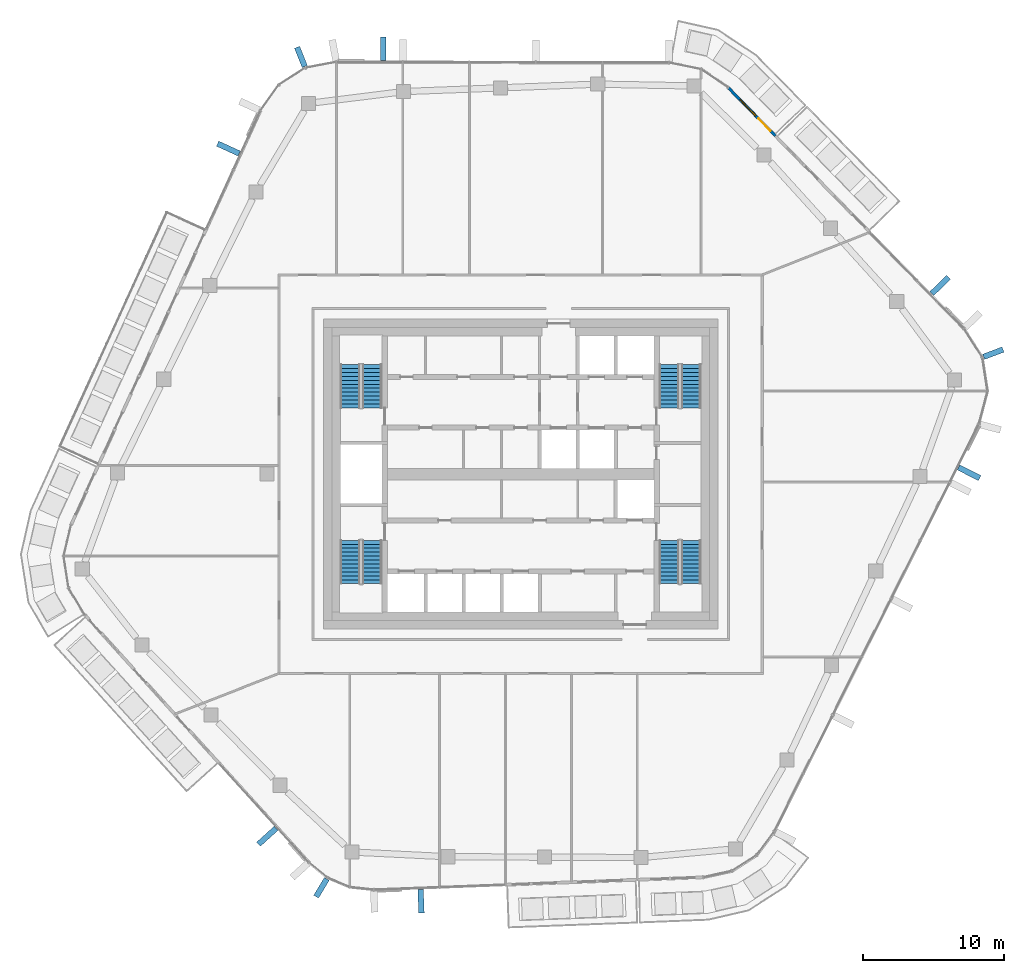
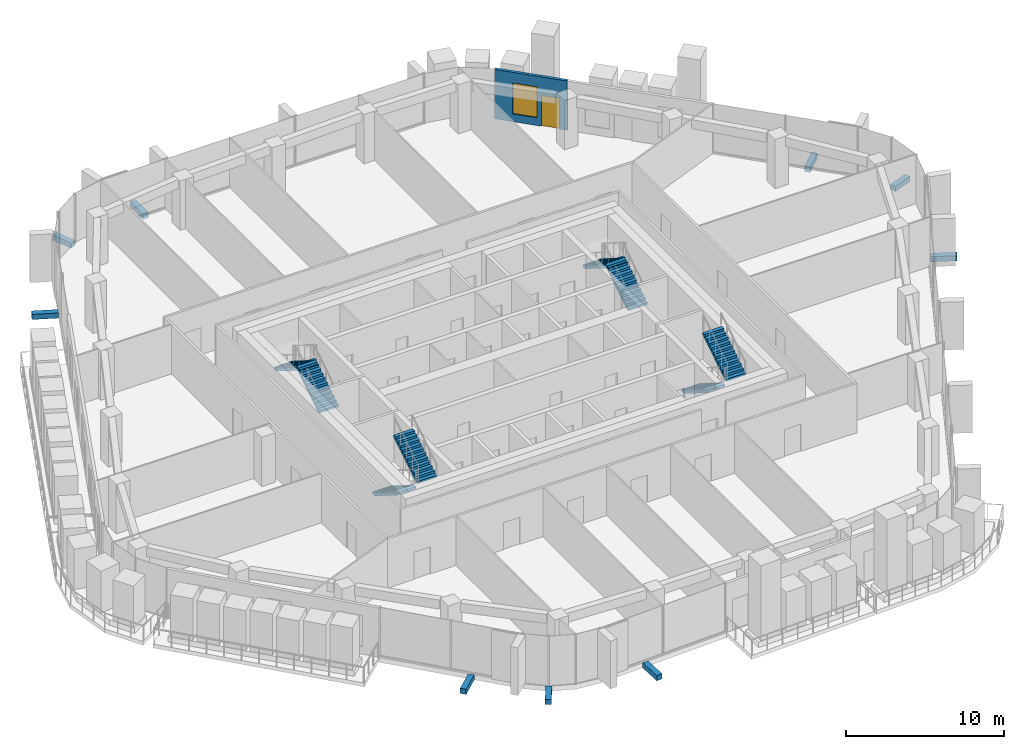
# One storey, part 17 of 23: 9 discrete accessories, 8 stair flights, 1 door, 1 wall, 1 window, 2 openings, 4 elements without a shape of their own.
"""IFC4 building model written with IfcOpenShell, lengths in metres."""

from ifc_helpers import new_model, si_unit, direction, frame, frame_2d, origin, origin_2d, place, context, subcontext, project, spatial, polyline, rectangle, outline, extrude, material, layer, layer_set, type_object, element, fill, aggregate, save


model = new_model("IFC4")

# Units and contexts
model_context = context("Model", 3, precision=1e-05, world=origin(), true_north=direction((0.0, 1.0)))
body_context = subcontext(model_context, "Body", "Model", "MODEL_VIEW")
ifc_project = project(units=[si_unit("LENGTHUNIT", "METRE"), si_unit("AREAUNIT", "SQUARE_METRE"), si_unit("VOLUMEUNIT", "CUBIC_METRE"), si_unit("PLANEANGLEUNIT", "RADIAN"), si_unit("MASSUNIT", "GRAM", prefix="KILO")], contexts=[model_context])

# Site, building, storey
site_placement = place(None, origin())
site = spatial("IfcSite", under=ifc_project, at=site_placement, CompositionType="ELEMENT")
building_placement = place(site_placement, origin())
building = spatial("IfcBuilding", under=site, at=building_placement, Name="Dongbaek Canopy Tower", CompositionType="ELEMENT")
storey_placement = place(building_placement, frame((0.0, 0.0, 315.199951171875)))
storey = spatial("IfcBuildingStorey", under=building, at=storey_placement, Name="L67", CompositionType="ELEMENT", Elevation=315.199951171875)

# Wall, openings, door, window
ifc_material_1 = material(Name="Aluminium window wall", Category="aluminium")
ifc_layer_1 = layer(ifc_material_1, 0.199951171875)
ifc_layer_set_1 = layer_set([ifc_layer_1], Name="Window wall 200")
wall_type = type_object("IfcWallType", Name="Window wall 200", PredefinedType="SOLIDWALL", material=ifc_layer_set_1)
wall_placement = place(storey_placement, frame((18.086181640625, 24.02099609375, 0.0), z_axis=(0.0, 0.0, 1.0), x_axis=(-0.699373628804, 0.714756271279, 0.0)))
wall = element("IfcWall", 1, at=wall_placement, inside=storey, type_object=wall_type, Name="Window wall L67 5", PredefinedType="SOLIDWALL", context=body_context, shape_type="SweptSolid", body=[
    extrude(rectangle(XDim=4.77734375, YDim=0.199951171875, at=frame_2d((2.388671875, 0.0))), origin(), (0.0, 0.0, 1.0), 3.820068359375),
])
opening_1_placement = place(wall_placement, frame((2.0, 0.0, 0.60009765625)))
opening_1 = element("IfcOpeningElement", 2, at=opening_1_placement, cuts=wall, Name="Opening W1", PredefinedType="OPENING", context=body_context, shape_type="SweptSolid", body=[
    extrude(rectangle(XDim=1.60009765625, YDim=2.39990234375, at=frame_2d((0.800048828125, 1.199951171875))), frame((0.0, 0.10986328125, 0.0), z_axis=(0.0, -1.0, 0.0), x_axis=(1.0, 0.0, 0.0)), (0.0, 0.0, 1.0), 0.219970703125),
])
opening_2_placement = place(wall_placement, frame((0.5, 0.0, 0.0)))
opening_2 = element("IfcOpeningElement", 3, at=opening_2_placement, cuts=wall, Name="Opening L67-B03", PredefinedType="OPENING", context=body_context, shape_type="SweptSolid", body=[
    extrude(rectangle(XDim=1.199951171875, YDim=2.39990234375, at=frame_2d((0.60009765625, 1.199951171875))), frame((0.0, 0.10986328125, 0.0), z_axis=(0.0, -1.0, 0.0), x_axis=(1.0, 0.0, 0.0)), (0.0, 0.0, 1.0), 0.219970703125),
])
ifc_material_2 = material(Name="Clear glazing in aluminium frame", Category="aluminium")
door_type = type_object("IfcDoorType", Name="Balcony door BD1 1200 x 2400", OperationType="SLIDING_TO_LEFT", PredefinedType="DOOR", material=ifc_material_2)
door_placement = place(opening_2_placement, origin())
door = element("IfcDoor", 4, at=door_placement, inside=storey, type_object=door_type, Name="Balcony door L67-B03", OperationType="SLIDING_TO_LEFT", OverallHeight=2.39990234375, OverallWidth=1.199951171875, PredefinedType="DOOR", context=body_context, shape_type="SweptSolid", body=[
    extrude(rectangle(XDim=1.199951171875, YDim=2.39990234375, at=frame_2d((0.60009765625, 1.199951171875))), frame((0.0, 0.02490234375, 0.0), z_axis=(0.0, -1.0, 0.0), x_axis=(1.0, 0.0, 0.0)), (0.0, 0.0, 1.0), 0.050048828125),
])
fill(opening_2, door)
ifc_material_3 = material(Name="Clear glazing in aluminium frame", Category="aluminium")
window_type = type_object("IfcWindowType", Name="Window W1 1600 x 2400", PartitioningType="SINGLE_PANEL", PredefinedType="WINDOW", material=ifc_material_3)
window_placement = place(opening_1_placement, origin())
window = element("IfcWindow", 5, at=window_placement, inside=storey, type_object=window_type, Name="Window L67 5.1", OverallHeight=2.39990234375, OverallWidth=1.60009765625, PartitioningType="SINGLE_PANEL", PredefinedType="WINDOW", context=body_context, shape_type="SweptSolid", body=[
    extrude(rectangle(XDim=1.60009765625, YDim=2.39990234375, at=frame_2d((0.800048828125, 1.199951171875))), frame((0.0, 0.030029296875, 0.0), z_axis=(0.0, -1.0, 0.0), x_axis=(1.0, 0.0, 0.0)), (0.0, 0.0, 1.0), 0.06005859375),
])
fill(opening_1, window)

# Stair, stair flights
ifc_material_4 = material(Name="Concrete C40/50", Category="concrete")
stair_type = type_object("IfcStairType", Name="Core exit stair", PredefinedType="HALF_TURN_STAIR", material=ifc_material_4)
stair_1_placement = place(storey_placement, origin())
stair_1 = element("IfcStair", 6, at=stair_1_placement, inside=storey, type_object=stair_type, Name="L67 exit stair A", PredefinedType="HALF_TURN_STAIR")
ifc_material_5 = material(Name="Concrete C40/50", Category="concrete")
ifc_layer_2 = layer(ifc_material_5, 0.14990234375)
ifc_layer_set_2 = layer_set([ifc_layer_2], Name="Core stair flight 150 waist")
stair_flight_type = type_object("IfcStairFlightType", Name="Core stair flight 150 waist", PredefinedType="STRAIGHT", material=ifc_layer_set_2)
stair_flight_1_placement = place(storey_placement, frame((12.10009765625, 4.699951171875, 0.0), z_axis=(0.0, 0.0, 1.0), x_axis=(0.0, 1.0, 0.0)))
stair_flight_1 = element("IfcStairFlight", 7, at=stair_flight_1_placement, type_object=stair_flight_type, Name="ST-A flight 1", NumberOfRisers=12, NumberOfTreads=11, PredefinedType="STRAIGHT", RiserHeight=0.175, TreadLength=0.28, context=body_context, shape_type="SweptSolid", body=[
    extrude(outline(polyline([(0.0, 0.0), (0.0, 0.175048828125), (0.280029296875, 0.175048828125), (0.280029296875, 0.35009765625), (0.56005859375, 0.35009765625), (0.56005859375, 0.52490234375), (0.840087890625, 0.52490234375), (0.840087890625, 0.699951171875), (1.1201171875, 0.699951171875), (1.1201171875, 0.875), (1.39990234375, 0.875), (1.39990234375, 1.050048828125), (1.679931640625, 1.050048828125), (1.679931640625, 1.22509765625), (1.9599609375, 1.22509765625), (1.9599609375, 1.39990234375), (2.239990234375, 1.39990234375), (2.239990234375, 1.574951171875), (2.52001953125, 1.574951171875), (2.52001953125, 1.75), (2.800048828125, 1.75), (2.800048828125, 1.925048828125), (3.080078125, 1.925048828125), (3.080078125, 2.10009765625), (3.080078125, 1.748291015625), (0.28271484375, 0.0), (0.0, 0.0)])), frame((0.0, 0.699951171875, 0.0), z_axis=(0.0, -1.0, 0.0), x_axis=(1.0, 0.0, 0.0)), (0.0, 0.0, 1.0), 1.39990234375),
])
stair_flight_2_placement = place(storey_placement, frame((10.550048828125, 7.780029296875, 2.10009765625), z_axis=(0.0, 0.0, 1.0), x_axis=(0.0, -1.0, 0.0)))
stair_flight_2 = element("IfcStairFlight", 8, at=stair_flight_2_placement, type_object=stair_flight_type, Name="ST-A flight 2", NumberOfRisers=12, NumberOfTreads=11, PredefinedType="STRAIGHT", RiserHeight=0.175, TreadLength=0.28, context=body_context, shape_type="SweptSolid", body=[
    extrude(outline(polyline([(0.0, 0.0), (0.0, 0.175048828125), (0.280029296875, 0.175048828125), (0.280029296875, 0.35009765625), (0.56005859375, 0.35009765625), (0.56005859375, 0.52490234375), (0.840087890625, 0.52490234375), (0.840087890625, 0.699951171875), (1.1201171875, 0.699951171875), (1.1201171875, 0.875), (1.39990234375, 0.875), (1.39990234375, 1.050048828125), (1.679931640625, 1.050048828125), (1.679931640625, 1.22509765625), (1.9599609375, 1.22509765625), (1.9599609375, 1.39990234375), (2.239990234375, 1.39990234375), (2.239990234375, 1.574951171875), (2.52001953125, 1.574951171875), (2.52001953125, 1.75), (2.800048828125, 1.75), (2.800048828125, 1.925048828125), (3.080078125, 1.925048828125), (3.080078125, 2.10009765625), (3.080078125, 1.748291015625), (0.28271484375, 0.0), (0.0, 0.0)])), frame((0.0, 0.699951171875, 0.0), z_axis=(0.0, -1.0, 0.0), x_axis=(1.0, 0.0, 0.0)), (0.0, 0.0, 1.0), 1.39990234375),
])
aggregate(stair_1, [stair_flight_1, stair_flight_2])

stair_2_placement = place(storey_placement, origin())
stair_2 = element("IfcStair", 9, at=stair_2_placement, inside=storey, type_object=stair_type, Name="L67 exit stair C", PredefinedType="HALF_TURN_STAIR")
stair_flight_3_placement = place(storey_placement, frame((-10.550048828125, 4.699951171875, 0.0), z_axis=(0.0, 0.0, 1.0), x_axis=(0.0, 1.0, 0.0)))
stair_flight_3 = element("IfcStairFlight", 10, at=stair_flight_3_placement, type_object=stair_flight_type, Name="ST-C flight 1", NumberOfRisers=12, NumberOfTreads=11, PredefinedType="STRAIGHT", RiserHeight=0.175, TreadLength=0.28, context=body_context, shape_type="SweptSolid", body=[
    extrude(outline(polyline([(0.0, 0.0), (0.0, 0.175048828125), (0.280029296875, 0.175048828125), (0.280029296875, 0.35009765625), (0.56005859375, 0.35009765625), (0.56005859375, 0.52490234375), (0.840087890625, 0.52490234375), (0.840087890625, 0.699951171875), (1.1201171875, 0.699951171875), (1.1201171875, 0.875), (1.39990234375, 0.875), (1.39990234375, 1.050048828125), (1.679931640625, 1.050048828125), (1.679931640625, 1.22509765625), (1.9599609375, 1.22509765625), (1.9599609375, 1.39990234375), (2.239990234375, 1.39990234375), (2.239990234375, 1.574951171875), (2.52001953125, 1.574951171875), (2.52001953125, 1.75), (2.800048828125, 1.75), (2.800048828125, 1.925048828125), (3.080078125, 1.925048828125), (3.080078125, 2.10009765625), (3.080078125, 1.748291015625), (0.28271484375, 0.0), (0.0, 0.0)])), frame((0.0, 0.699951171875, 0.0), z_axis=(0.0, -1.0, 0.0), x_axis=(1.0, 0.0, 0.0)), (0.0, 0.0, 1.0), 1.39990234375),
])
stair_flight_4_placement = place(storey_placement, frame((-12.10009765625, 7.780029296875, 2.10009765625), z_axis=(0.0, 0.0, 1.0), x_axis=(0.0, -1.0, 0.0)))
stair_flight_4 = element("IfcStairFlight", 11, at=stair_flight_4_placement, type_object=stair_flight_type, Name="ST-C flight 2", NumberOfRisers=12, NumberOfTreads=11, PredefinedType="STRAIGHT", RiserHeight=0.175, TreadLength=0.28, context=body_context, shape_type="SweptSolid", body=[
    extrude(outline(polyline([(0.0, 0.0), (0.0, 0.175048828125), (0.280029296875, 0.175048828125), (0.280029296875, 0.35009765625), (0.56005859375, 0.35009765625), (0.56005859375, 0.52490234375), (0.840087890625, 0.52490234375), (0.840087890625, 0.699951171875), (1.1201171875, 0.699951171875), (1.1201171875, 0.875), (1.39990234375, 0.875), (1.39990234375, 1.050048828125), (1.679931640625, 1.050048828125), (1.679931640625, 1.22509765625), (1.9599609375, 1.22509765625), (1.9599609375, 1.39990234375), (2.239990234375, 1.39990234375), (2.239990234375, 1.574951171875), (2.52001953125, 1.574951171875), (2.52001953125, 1.75), (2.800048828125, 1.75), (2.800048828125, 1.925048828125), (3.080078125, 1.925048828125), (3.080078125, 2.10009765625), (3.080078125, 1.748291015625), (0.28271484375, 0.0), (0.0, 0.0)])), frame((0.0, 0.699951171875, 0.0), z_axis=(0.0, -1.0, 0.0), x_axis=(1.0, 0.0, 0.0)), (0.0, 0.0, 1.0), 1.39990234375),
])
aggregate(stair_2, [stair_flight_3, stair_flight_4])

stair_3_placement = place(storey_placement, origin())
stair_3 = element("IfcStair", 12, at=stair_3_placement, inside=storey, type_object=stair_type, Name="L67 exit stair B", PredefinedType="HALF_TURN_STAIR")
stair_flight_5_placement = place(storey_placement, frame((10.550048828125, -4.699951171875, 0.0), z_axis=(0.0, 0.0, 1.0), x_axis=(0.0, -1.0, 0.0)))
stair_flight_5 = element("IfcStairFlight", 13, at=stair_flight_5_placement, type_object=stair_flight_type, Name="ST-B flight 1", NumberOfRisers=12, NumberOfTreads=11, PredefinedType="STRAIGHT", RiserHeight=0.175, TreadLength=0.28, context=body_context, shape_type="SweptSolid", body=[
    extrude(outline(polyline([(0.0, 0.0), (0.0, 0.175048828125), (0.280029296875, 0.175048828125), (0.280029296875, 0.35009765625), (0.56005859375, 0.35009765625), (0.56005859375, 0.52490234375), (0.840087890625, 0.52490234375), (0.840087890625, 0.699951171875), (1.1201171875, 0.699951171875), (1.1201171875, 0.875), (1.39990234375, 0.875), (1.39990234375, 1.050048828125), (1.679931640625, 1.050048828125), (1.679931640625, 1.22509765625), (1.9599609375, 1.22509765625), (1.9599609375, 1.39990234375), (2.239990234375, 1.39990234375), (2.239990234375, 1.574951171875), (2.52001953125, 1.574951171875), (2.52001953125, 1.75), (2.800048828125, 1.75), (2.800048828125, 1.925048828125), (3.080078125, 1.925048828125), (3.080078125, 2.10009765625), (3.080078125, 1.748291015625), (0.28271484375, 0.0), (0.0, 0.0)])), frame((0.0, 0.699951171875, 0.0), z_axis=(0.0, -1.0, 0.0), x_axis=(1.0, 0.0, 0.0)), (0.0, 0.0, 1.0), 1.39990234375),
])
stair_flight_6_placement = place(storey_placement, frame((12.10009765625, -7.780029296875, 2.10009765625), z_axis=(0.0, 0.0, 1.0), x_axis=(0.0, 1.0, 0.0)))
stair_flight_6 = element("IfcStairFlight", 14, at=stair_flight_6_placement, type_object=stair_flight_type, Name="ST-B flight 2", NumberOfRisers=12, NumberOfTreads=11, PredefinedType="STRAIGHT", RiserHeight=0.175, TreadLength=0.28, context=body_context, shape_type="SweptSolid", body=[
    extrude(outline(polyline([(0.0, 0.0), (0.0, 0.175048828125), (0.280029296875, 0.175048828125), (0.280029296875, 0.35009765625), (0.56005859375, 0.35009765625), (0.56005859375, 0.52490234375), (0.840087890625, 0.52490234375), (0.840087890625, 0.699951171875), (1.1201171875, 0.699951171875), (1.1201171875, 0.875), (1.39990234375, 0.875), (1.39990234375, 1.050048828125), (1.679931640625, 1.050048828125), (1.679931640625, 1.22509765625), (1.9599609375, 1.22509765625), (1.9599609375, 1.39990234375), (2.239990234375, 1.39990234375), (2.239990234375, 1.574951171875), (2.52001953125, 1.574951171875), (2.52001953125, 1.75), (2.800048828125, 1.75), (2.800048828125, 1.925048828125), (3.080078125, 1.925048828125), (3.080078125, 2.10009765625), (3.080078125, 1.748291015625), (0.28271484375, 0.0), (0.0, 0.0)])), frame((0.0, 0.699951171875, 0.0), z_axis=(0.0, -1.0, 0.0), x_axis=(1.0, 0.0, 0.0)), (0.0, 0.0, 1.0), 1.39990234375),
])
aggregate(stair_3, [stair_flight_5, stair_flight_6])

stair_4_placement = place(storey_placement, origin())
stair_4 = element("IfcStair", 15, at=stair_4_placement, inside=storey, type_object=stair_type, Name="L67 exit stair D", PredefinedType="HALF_TURN_STAIR")
stair_flight_7_placement = place(storey_placement, frame((-12.10009765625, -4.699951171875, 0.0), z_axis=(0.0, 0.0, 1.0), x_axis=(0.0, -1.0, 0.0)))
stair_flight_7 = element("IfcStairFlight", 16, at=stair_flight_7_placement, type_object=stair_flight_type, Name="ST-D flight 1", NumberOfRisers=12, NumberOfTreads=11, PredefinedType="STRAIGHT", RiserHeight=0.175, TreadLength=0.28, context=body_context, shape_type="SweptSolid", body=[
    extrude(outline(polyline([(0.0, 0.0), (0.0, 0.175048828125), (0.280029296875, 0.175048828125), (0.280029296875, 0.35009765625), (0.56005859375, 0.35009765625), (0.56005859375, 0.52490234375), (0.840087890625, 0.52490234375), (0.840087890625, 0.699951171875), (1.1201171875, 0.699951171875), (1.1201171875, 0.875), (1.39990234375, 0.875), (1.39990234375, 1.050048828125), (1.679931640625, 1.050048828125), (1.679931640625, 1.22509765625), (1.9599609375, 1.22509765625), (1.9599609375, 1.39990234375), (2.239990234375, 1.39990234375), (2.239990234375, 1.574951171875), (2.52001953125, 1.574951171875), (2.52001953125, 1.75), (2.800048828125, 1.75), (2.800048828125, 1.925048828125), (3.080078125, 1.925048828125), (3.080078125, 2.10009765625), (3.080078125, 1.748291015625), (0.28271484375, 0.0), (0.0, 0.0)])), frame((0.0, 0.699951171875, 0.0), z_axis=(0.0, -1.0, 0.0), x_axis=(1.0, 0.0, 0.0)), (0.0, 0.0, 1.0), 1.39990234375),
])
stair_flight_8_placement = place(storey_placement, frame((-10.550048828125, -7.780029296875, 2.10009765625), z_axis=(0.0, 0.0, 1.0), x_axis=(0.0, 1.0, 0.0)))
stair_flight_8 = element("IfcStairFlight", 17, at=stair_flight_8_placement, type_object=stair_flight_type, Name="ST-D flight 2", NumberOfRisers=12, NumberOfTreads=11, PredefinedType="STRAIGHT", RiserHeight=0.175, TreadLength=0.28, context=body_context, shape_type="SweptSolid", body=[
    extrude(outline(polyline([(0.0, 0.0), (0.0, 0.175048828125), (0.280029296875, 0.175048828125), (0.280029296875, 0.35009765625), (0.56005859375, 0.35009765625), (0.56005859375, 0.52490234375), (0.840087890625, 0.52490234375), (0.840087890625, 0.699951171875), (1.1201171875, 0.699951171875), (1.1201171875, 0.875), (1.39990234375, 0.875), (1.39990234375, 1.050048828125), (1.679931640625, 1.050048828125), (1.679931640625, 1.22509765625), (1.9599609375, 1.22509765625), (1.9599609375, 1.39990234375), (2.239990234375, 1.39990234375), (2.239990234375, 1.574951171875), (2.52001953125, 1.574951171875), (2.52001953125, 1.75), (2.800048828125, 1.75), (2.800048828125, 1.925048828125), (3.080078125, 1.925048828125), (3.080078125, 2.10009765625), (3.080078125, 1.748291015625), (0.28271484375, 0.0), (0.0, 0.0)])), frame((0.0, 0.699951171875, 0.0), z_axis=(0.0, -1.0, 0.0), x_axis=(1.0, 0.0, 0.0)), (0.0, 0.0, 1.0), 1.39990234375),
])
aggregate(stair_4, [stair_flight_7, stair_flight_8])

# Discrete accessories
ifc_material_6 = material(Name="Galvanised steel S355 bracket", Category="steel")
discrete_accessory_type = type_object("IfcDiscreteAccessoryType", Name="Crease fin bracket BR3 400", PredefinedType="BRACKET", material=ifc_material_6)
discrete_accessory_1_placement = place(storey_placement, frame((31.84521484375, 0.09375, -0.389892578125), z_axis=(0.0, 0.0, 1.0), x_axis=(0.89373340269, -0.448598489649, 0.0)))
element("IfcDiscreteAccessory", 18, at=discrete_accessory_1_placement, inside=storey, type_object=discrete_accessory_type, Name="Crease fin bracket L67 F5", PredefinedType="BRACKET", context=body_context, shape_type="SweptSolid", body=[
    extrude(rectangle(XDim=1.6787109375, YDim=0.39990234375, at=origin_2d()), origin(), (0.0, 0.0, 1.0), 0.39990234375),
])
discrete_accessory_2_placement = place(storey_placement, frame((29.7841796875, 13.39501953125, -0.389892578125), z_axis=(0.0, 0.0, 1.0), x_axis=(0.714780338527, 0.699349031354, 0.0)))
element("IfcDiscreteAccessory", 19, at=discrete_accessory_2_placement, inside=storey, type_object=discrete_accessory_type, Name="Crease fin bracket L67 F0", PredefinedType="BRACKET", context=body_context, shape_type="SweptSolid", body=[
    extrude(rectangle(XDim=1.66064453125, YDim=0.39990234375, at=origin_2d()), origin(), (0.0, 0.0, 1.0), 0.39990234375),
])
discrete_accessory_3_placement = place(storey_placement, frame((-9.751220703125, 30.1943359375, -0.389892578125), z_axis=(0.0, 0.0, 1.0), x_axis=(0.002179914509, 0.999997623984, 0.0)))
element("IfcDiscreteAccessory", 20, at=discrete_accessory_3_placement, inside=storey, type_object=discrete_accessory_type, Name="Crease fin bracket L67 F1", PredefinedType="BRACKET", context=body_context, shape_type="SweptSolid", body=[
    extrude(rectangle(XDim=1.6669921875, YDim=0.39990234375, at=origin_2d()), origin(), (0.0, 0.0, 1.0), 0.39990234375),
])
discrete_accessory_4_placement = place(storey_placement, frame((-20.751953125, 23.11474609375, -0.389892578125), z_axis=(0.0, 0.0, 1.0), x_axis=(-0.909496035384, 0.415712594974, 0.0)))
element("IfcDiscreteAccessory", 21, at=discrete_accessory_4_placement, inside=storey, type_object=discrete_accessory_type, Name="Crease fin bracket L67 F2", PredefinedType="BRACKET", context=body_context, shape_type="SweptSolid", body=[
    extrude(rectangle(XDim=1.690185546875, YDim=0.39990234375, at=origin_2d()), origin(), (0.0, 0.0, 1.0), 0.39990234375),
])
discrete_accessory_5_placement = place(storey_placement, frame((-17.99072265625, -25.7158203125, -0.389892578125), z_axis=(0.0, 0.0, 1.0), x_axis=(-0.741254621337, -0.671223946494, 0.0)))
element("IfcDiscreteAccessory", 22, at=discrete_accessory_5_placement, inside=storey, type_object=discrete_accessory_type, Name="Crease fin bracket L67 F3", PredefinedType="BRACKET", context=body_context, shape_type="SweptSolid", body=[
    extrude(rectangle(XDim=1.691162109375, YDim=0.39990234375, at=origin_2d()), origin(), (0.0, 0.0, 1.0), 0.39990234375),
])
discrete_accessory_6_placement = place(storey_placement, frame((-7.07470703125, -30.3251953125, -0.389892578125), z_axis=(0.0, 0.0, 1.0), x_axis=(0.037712855819, -0.99928861722, 0.0)))
element("IfcDiscreteAccessory", 23, at=discrete_accessory_6_placement, inside=storey, type_object=discrete_accessory_type, Name="Crease fin bracket L67 F4", PredefinedType="BRACKET", context=body_context, shape_type="SweptSolid", body=[
    extrude(rectangle(XDim=1.685546875, YDim=0.39990234375, at=origin_2d()), origin(), (0.0, 0.0, 1.0), 0.39990234375),
])
for number, where, z_axis, x_axis, name in (
    (24, (33.561279296875, 8.587646484375, -0.389892578125), (0.0, 0.0, 1.0), (0.93545266757, 0.353451986464, 0.0), "Corner fin bracket L67 K0"),
    (25, (-15.603271484375, 29.62451171875, -0.389892578125), (0.0, 0.0, 1.0), (-0.370212122195, 0.928947245316, 0.0), "Corner fin bracket L67 K2"),
    (26, (-14.14599609375, -29.37548828125, -0.389892578125), (0.0, 0.0, 1.0), (-0.517605951027, -0.855619120556, 0.0), "Corner fin bracket L67 K4"),
):
    element("IfcDiscreteAccessory", number, at=place(storey_placement, frame(where, z_axis=z_axis, x_axis=x_axis)), inside=storey, type_object=discrete_accessory_type, Name=name, PredefinedType="BRACKET", context=body_context, shape_type="SweptSolid", body=[
        extrude(rectangle(XDim=1.469970703125, YDim=0.39990234375, at=origin_2d()), origin(), (0.0, 0.0, 1.0), 0.39990234375),
    ])

save(model, "model.ifc")
